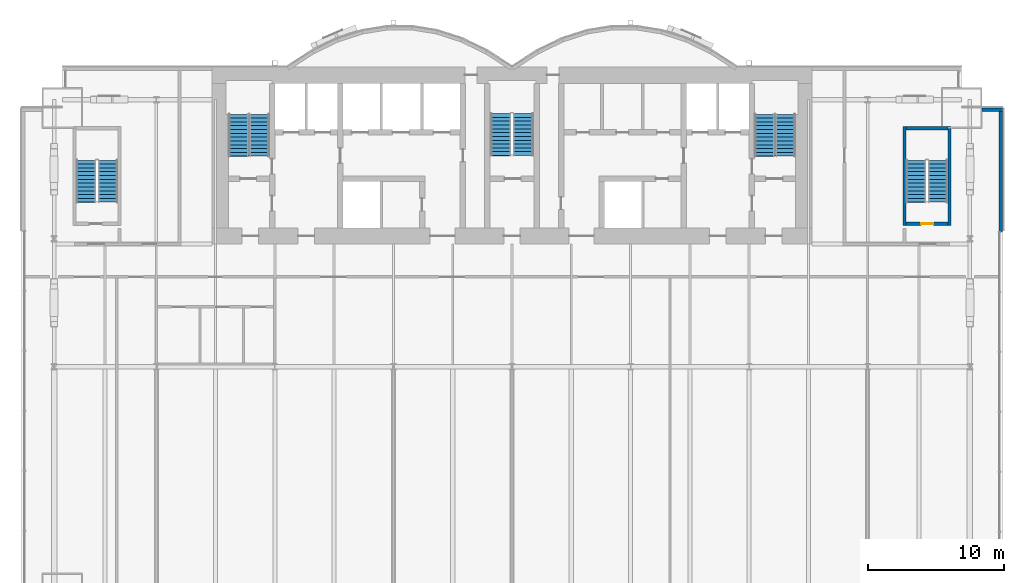
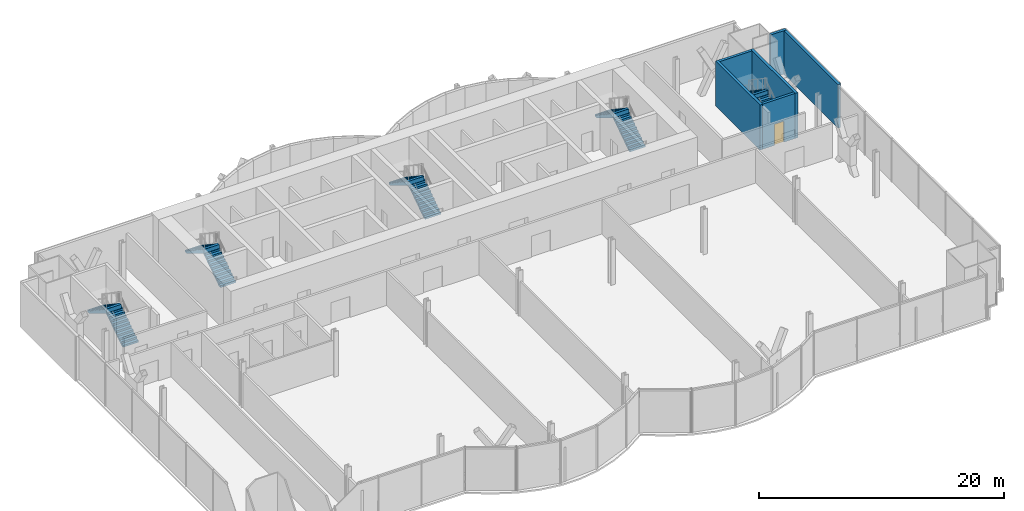
# One storey, part 18 of 22: 10 stair flights, 6 walls, 1 door, 1 opening, 5 elements without a shape of their own.
"""IFC4 building model written with IfcOpenShell, lengths in metres."""

import ifcopenshell
import ifcopenshell.guid

model = None  # the IFC model being written
_history = None  # IfcOwnerHistory: only IFC2X3 demands one
_inside = {}  # id of a spatial element -> (the spatial element, [elements in it])
_under = {}  # id of a project, library or spatial element -> (it, [spatial elements below it])
_declared = {}  # id of a project -> (the project, [libraries it declares])
_typed = {}  # id of a type object -> (the type object, [elements of that type])
_made_of = {}  # id of a material, layer set ... -> (it, [elements and type objects made of it])


def new_model(schema):
    """Start an empty IFC model of exactly this schema.

    Asked for "IFC4X3", IfcOpenShell would pick the latest addendum, in which some entities
    have other attributes; the version numbers below select the first issue.
    IFC2X3 requires an IfcOwnerHistory on every rooted entity: one is made here for all.
    """
    global model, _history
    if schema == "IFC4X3":
        model = ifcopenshell.file(schema_version=(4, 3, 0, 0))
    else:
        model = ifcopenshell.file(schema=schema)
    _inside.clear()
    _under.clear()
    _declared.clear()
    _typed.clear()
    _made_of.clear()
    _history = None
    if model.schema == "IFC2X3":
        org = make("IfcOrganization", Name="unknown")
        user = make(
            "IfcPersonAndOrganization",
            ThePerson=make("IfcPerson", FamilyName="unknown"),
            TheOrganization=org,
        )
        app = make(
            "IfcApplication",
            ApplicationDeveloper=org,
            Version="unknown",
            ApplicationFullName="unknown",
            ApplicationIdentifier="unknown",
        )
        _history = make(
            "IfcOwnerHistory",
            OwningUser=user,
            OwningApplication=app,
            ChangeAction="ADDED",
            CreationDate=0,
        )
    return model


def make(cls, **values):
    """One entity of the class cls with the attributes given. An attribute that is None is left unset."""
    return model.create_entity(
        cls, **{name: value for name, value in values.items() if value is not None}
    )


def rooted(cls, **values):
    """An entity with a GlobalId (a new one), such as an element, a storey or a relation."""
    return make(cls, GlobalId=ifcopenshell.guid.new(), OwnerHistory=_history, **values)


def si_unit(unit_type, name, prefix=None):
    """IfcSIUnit, for example si_unit("LENGTHUNIT", "METRE", prefix="MILLI")."""
    return make("IfcSIUnit", UnitType=unit_type, Prefix=prefix, Name=name)


def assignment(units):
    """IfcUnitAssignment: the units of a project."""
    return None if units is None else make("IfcUnitAssignment", Units=units)


def point(xyz):
    """IfcCartesianPoint."""
    return None if xyz is None else make("IfcCartesianPoint", Coordinates=xyz)


def direction(xyz):
    """IfcDirection."""
    return None if xyz is None else make("IfcDirection", DirectionRatios=xyz)


def frame(location, z_axis=None, x_axis=None):
    """IfcAxis2Placement3D, a coordinate frame: its origin and axes. An axis left out is left unset."""
    return make(
        "IfcAxis2Placement3D",
        Location=point(location),
        Axis=direction(z_axis),
        RefDirection=direction(x_axis),
    )


def frame_2d(location, x_axis=None):
    """IfcAxis2Placement2D, a coordinate frame in the plane: its origin and x axis."""
    return make(
        "IfcAxis2Placement2D", Location=point(location), RefDirection=direction(x_axis)
    )


def origin():
    """The frame at (0, 0, 0) with its axes left unset."""
    return frame((0.0, 0.0, 0.0))


def place(relative_to, where):
    """IfcLocalPlacement: puts the frame where relative to a parent placement (None: the world)."""
    return make(
        "IfcLocalPlacement", PlacementRelTo=relative_to, RelativePlacement=where
    )


def context(
    kind, dimensions, precision=None, world=None, true_north=None, identifier=None
):
    """IfcGeometricRepresentationContext, for example the 3D "Model" context."""
    return make(
        "IfcGeometricRepresentationContext",
        ContextIdentifier=identifier,
        ContextType=kind,
        CoordinateSpaceDimension=dimensions,
        Precision=precision,
        WorldCoordinateSystem=world,
        TrueNorth=true_north,
    )


def subcontext(parent, identifier, kind, view, scale=None):
    """IfcGeometricRepresentationSubContext, for example "Body" below "Model"."""
    return make(
        "IfcGeometricRepresentationSubContext",
        ContextIdentifier=identifier,
        ContextType=kind,
        ParentContext=parent,
        TargetScale=scale,
        TargetView=view,
    )


def project(units=None, contexts=None):
    """IfcProject with its units and contexts."""
    return rooted(
        "IfcProject",
        Name="project",
        RepresentationContexts=contexts,
        UnitsInContext=assignment(units),
    )


def spatial(cls, under=None, at=None, **own):
    """A site, building, storey or space (cls), placed at a placement, below another one or the project."""
    s = rooted(cls, ObjectPlacement=at, **own)
    if under is not None:
        _under.setdefault(under.id(), (under, []))[1].append(s)
    return s


def polyline(points):
    """IfcPolyline through the points."""
    return make("IfcPolyline", Points=[point(p) for p in points])


def profile(cls, at=None, kind="AREA", **sizes):
    """A parametric profile (cls). Its sizes go by their IFC names, for example OverallWidth=200.0."""
    return make(cls, ProfileType=kind, Position=at, **sizes)


def rectangle(**sizes):
    """IfcRectangleProfileDef."""
    return profile("IfcRectangleProfileDef", **sizes)


def outline(outer, holes=None, kind="AREA"):
    """IfcArbitraryClosedProfileDef: a profile drawn as a closed curve; with holes, ...WithVoids."""
    if holes is None:
        return make("IfcArbitraryClosedProfileDef", ProfileType=kind, OuterCurve=outer)
    return make(
        "IfcArbitraryProfileDefWithVoids",
        ProfileType=kind,
        OuterCurve=outer,
        InnerCurves=holes,
    )


def extrude(swept, where, along, depth):
    """IfcExtrudedAreaSolid: the profile swept, set in the frame where, extruded along a direction by depth."""
    return make(
        "IfcExtrudedAreaSolid",
        SweptArea=swept,
        Position=where,
        ExtrudedDirection=direction(along),
        Depth=depth,
    )


def shape(context_of_items, identifier, shape_type, items):
    """IfcShapeRepresentation: the items that make up one representation, for example the "Body"."""
    return make(
        "IfcShapeRepresentation",
        ContextOfItems=context_of_items,
        RepresentationIdentifier=identifier,
        RepresentationType=shape_type,
        Items=items,
    )


def material(Name=None, Category=None):
    """IfcMaterial."""
    return make("IfcMaterial", Name=Name, Category=Category)


def layer(
    of_material, thickness, ventilated=None, Name=None, Category=None, Priority=None
):
    """IfcMaterialLayer: one layer of a wall or slab, of a material (None: an air gap)."""
    return make(
        "IfcMaterialLayer",
        Material=of_material,
        LayerThickness=thickness,
        IsVentilated=ventilated,
        Name=Name,
        Category=Category,
        Priority=Priority,
    )


def layer_set(layers, Name=None):
    """IfcMaterialLayerSet."""
    return make("IfcMaterialLayerSet", MaterialLayers=layers, LayerSetName=Name)


def layer_usage(for_layer_set, set_direction, sense, offset, extent=None):
    """IfcMaterialLayerSetUsage: how a layer set lies in its element."""
    return make(
        "IfcMaterialLayerSetUsage",
        ForLayerSet=for_layer_set,
        LayerSetDirection=set_direction,
        DirectionSense=sense,
        OffsetFromReferenceLine=offset,
        ReferenceExtent=extent,
    )


def made_of(thing, what):
    """Note that an element or type object is made of a material, layer set ...; save() writes the relation."""
    if what is not None:
        _made_of.setdefault(what.id(), (what, []))[1].append(thing)
    return thing


def type_object(cls, material=None, **own):
    """A type object (cls), such as IfcWallType, which elements share."""
    return made_of(rooted(cls, **own), material)


def element(
    cls,
    number,
    at=None,
    inside=None,
    cuts=None,
    type_object=None,
    material=None,
    context=None,
    identifier="Body",
    shape_type=None,
    held_by="IfcProductDefinitionShape",
    body=None,
    shapes=None,
    **own,
):
    """One element of the class cls, such as IfcWall. Its Tag is "e" and its number.

    at: its placement. inside: the storey or other place that contains it. cuts: it is an
    opening in that element (IfcRelVoidsElement). A single representation is given by context,
    identifier, shape_type and body (its items); several are given by shapes. held_by: the class
    of the entity that holds the representations. save() writes the other relations.
    """
    e = rooted(cls, Tag="e%d" % number, ObjectPlacement=at, **own)
    if body is not None:
        shapes = [shape(context, identifier, shape_type, body)]
    if shapes is not None:
        e.Representation = make(held_by, Representations=shapes)
    if inside is not None:
        _inside.setdefault(inside.id(), (inside, []))[1].append(e)
    if cuts is not None:
        rooted(
            "IfcRelVoidsElement", RelatingBuildingElement=cuts, RelatedOpeningElement=e
        )
    if type_object is not None:
        _typed.setdefault(type_object.id(), (type_object, []))[1].append(e)
    return made_of(e, material)


def fill(opening, filler):
    """IfcRelFillsElement: the door or window that sits in an opening."""
    return rooted(
        "IfcRelFillsElement",
        RelatingOpeningElement=opening,
        RelatedBuildingElement=filler,
    )


def aggregate(whole, parts):
    """IfcRelAggregates: a whole, such as a stair, and the parts it consists of."""
    return rooted("IfcRelAggregates", RelatingObject=whole, RelatedObjects=parts)


def save(model, path):
    """Write the relations noted so far, then the file.

    IfcRelAggregates (storeys below a building ...), IfcRelContainedInSpatialStructure (elements
    in a storey), IfcRelDefinesByType, IfcRelAssociatesMaterial and IfcRelDeclares: one each for
    every whole, place, type object, material and project.
    """
    for whole, parts in _under.values():
        aggregate(whole, parts)
    for where, things in _inside.values():
        rooted(
            "IfcRelContainedInSpatialStructure",
            RelatedElements=things,
            RelatingStructure=where,
        )
    for kind, things in _typed.values():
        rooted("IfcRelDefinesByType", RelatedObjects=things, RelatingType=kind)
    for what, things in _made_of.values():
        rooted("IfcRelAssociatesMaterial", RelatedObjects=things, RelatingMaterial=what)
    for by, libraries in _declared.values():
        rooted("IfcRelDeclares", RelatingContext=by, RelatedDefinitions=libraries)
    model.write(path)


model = new_model("IFC4")

# Units and contexts
model_context = context("Model", 3, precision=1e-05, world=origin(), true_north=direction((0.0, 1.0)))
body_context = subcontext(model_context, "Body", "Model", "MODEL_VIEW")
ifc_project = project(units=[si_unit("LENGTHUNIT", "METRE"), si_unit("AREAUNIT", "SQUARE_METRE"), si_unit("VOLUMEUNIT", "CUBIC_METRE"), si_unit("PLANEANGLEUNIT", "RADIAN"), si_unit("MASSUNIT", "GRAM", prefix="KILO")], contexts=[model_context])

# Site, building, storey
site_placement = place(None, origin())
site = spatial("IfcSite", under=ifc_project, at=site_placement, CompositionType="ELEMENT")
building_placement = place(site_placement, origin())
building = spatial("IfcBuilding", under=site, at=building_placement, Name="Bicima Exchange Tower", CompositionType="ELEMENT")
storey_placement = place(building_placement, frame((0.0, 0.0, 39.5)))
storey = spatial("IfcBuildingStorey", under=building, at=storey_placement, Name="L07", CompositionType="ELEMENT", Elevation=39.5)

# Walls
ifc_material_1 = material(Name="Concrete C50/60", Category="concrete")
ifc_layer_1 = layer(ifc_material_1, 0.25)
ifc_layer_set_1 = layer_set([ifc_layer_1], Name="Concrete C50/60")
wall_type_1 = type_object("IfcWallType", Name="RC stair enclosure wall 250 C50/60", PredefinedType="SHEAR", material=ifc_layer_set_1)
for number, where, z_axis, x_axis, name in (
    (1, (28.800048828125, -11.625, 0.0), (0.0, 0.0, 1.0), (0.0, 1.0, 0.0), "East end exit stair wall W"),
    (2, (32.10009765625, -11.625, 0.0), (0.0, 0.0, 1.0), (0.0, 1.0, 0.0), "East end exit stair wall E"),
):
    element("IfcWall", number, at=place(storey_placement, frame(where, z_axis=z_axis, x_axis=x_axis)), inside=storey, type_object=wall_type_1, Name=name, PredefinedType="SHEAR", context=body_context, shape_type="SweptSolid", body=[
        extrude(rectangle(XDim=7.25, YDim=0.25, at=frame_2d((3.625, 0.0))), origin(), (0.0, 0.0, 1.0), 4.5),
    ])

# Wall, opening, door
wall_1_placement = place(storey_placement, frame((28.925048828125, -11.5, 0.0), z_axis=(0.0, 0.0, 1.0), x_axis=(1.0, 0.0, 0.0)))
wall_1 = element("IfcWall", 3, at=wall_1_placement, inside=storey, type_object=wall_type_1, Name="East end exit stair wall S", PredefinedType="SHEAR", context=body_context, shape_type="SweptSolid", body=[
    extrude(rectangle(XDim=3.050048828125, YDim=0.25, at=frame_2d((1.52490234375, 0.0))), origin(), (0.0, 0.0, 1.0), 4.5),
])
opening_placement = place(wall_1_placement, frame((1.10009765625, 0.0, 0.0)))
opening = element("IfcOpeningElement", 4, at=opening_placement, cuts=wall_1, Name="Opening L07-004", PredefinedType="OPENING", context=body_context, shape_type="SweptSolid", body=[
    extrude(rectangle(XDim=0.89990234375, YDim=2.10009765625, at=frame_2d((0.449951171875, 1.050048828125))), frame((0.0, 0.136962890625, 0.0), z_axis=(0.0, -1.0, 0.0), x_axis=(1.0, 0.0, 0.0)), (0.0, 0.0, 1.0), 0.27392578125),
])
ifc_material_2 = material(Name="Steel fire door leaf", Category="steel")
door_type = type_object("IfcDoorType", Name="Door 900 swing FD60S", OperationType="SINGLE_SWING_LEFT", PredefinedType="DOOR", material=ifc_material_2)
door_placement = place(opening_placement, origin())
door = element("IfcDoor", 5, at=door_placement, inside=storey, type_object=door_type, Name="Door", OperationType="SINGLE_SWING_LEFT", OverallHeight=2.10009765625, OverallWidth=0.89990234375, PredefinedType="DOOR", context=body_context, shape_type="SweptSolid", body=[
    extrude(rectangle(XDim=0.89990234375, YDim=2.10009765625, at=frame_2d((0.449951171875, 1.050048828125))), frame((0.0, 0.02490234375, 0.0), z_axis=(0.0, -1.0, 0.0), x_axis=(1.0, 0.0, 0.0)), (0.0, 0.0, 1.0), 0.050048828125),
])
fill(opening, door)

# Walls
wall_2_placement = place(storey_placement, frame((28.925048828125, -4.5, 0.0), z_axis=(0.0, 0.0, 1.0), x_axis=(1.0, 0.0, 0.0)))
element("IfcWall", 6, at=wall_2_placement, inside=storey, type_object=wall_type_1, Name="East end exit stair wall N", PredefinedType="SHEAR", context=body_context, shape_type="SweptSolid", body=[
    extrude(rectangle(XDim=3.050048828125, YDim=0.25, at=frame_2d((1.52490234375, 0.0))), origin(), (0.0, 0.0, 1.0), 4.5),
])
ifc_material_3 = material(Name="Concrete C40/50", Category="concrete")
ifc_layer_2 = layer(ifc_material_3, 0.25)
ifc_layer_set_2 = layer_set([ifc_layer_2], Name="Concrete C40/50")
ifc_layer_usage = layer_usage(ifc_layer_set_2, "AXIS2", "POSITIVE", -0.125)
wall_type_2 = type_object("IfcWallType", Name="Rear backup wall 250", PredefinedType="STANDARD", material=ifc_layer_set_2)
wall_3_placement = place(storey_placement, frame((35.875, -12.090087890625, 0.0), z_axis=(0.0, 0.0, 1.0), x_axis=(0.0, 1.0, 0.0)))
element("IfcWall", 7, at=wall_3_placement, inside=storey, type_object=wall_type_2, material=ifc_layer_usage, Name="Rear backup wall L07 50", PredefinedType="STANDARD", context=body_context, shape_type="SweptSolid", body=[
    extrude(rectangle(XDim=9.090087890625, YDim=0.25, at=frame_2d((4.544921875, 0.0))), origin(), (0.0, 0.0, 1.0), 4.35009765625),
])
wall_4_placement = place(storey_placement, frame((36.0, -3.125, 0.0), z_axis=(0.0, 0.0, 1.0), x_axis=(-1.0, 0.0, 0.0)))
element("IfcWall", 8, at=wall_4_placement, inside=storey, type_object=wall_type_2, material=ifc_layer_usage, Name="Rear backup wall L07 51", PredefinedType="STANDARD", context=body_context, shape_type="SweptSolid", body=[
    extrude(rectangle(XDim=1.5, YDim=0.25, at=frame_2d((0.75, 0.0))), origin(), (0.0, 0.0, 1.0), 4.35009765625),
])

# Stair, stair flights
stair_type_1 = type_object("IfcStairType", Name="Exit stair", PredefinedType="HALF_TURN_STAIR", material=ifc_material_1)
stair_1_placement = place(storey_placement, origin())
stair_1 = element("IfcStair", 9, at=stair_1_placement, inside=storey, type_object=stair_type_1, Name="L07 West exit stair", PredefinedType="HALF_TURN_STAIR")
stair_flight_type_1 = type_object("IfcStairFlightType", Name="Stair flight RC", PredefinedType="STRAIGHT", material=ifc_material_1)
stair_flight_1_placement = place(storey_placement, frame((-18.52490234375, -6.550048828125, 0.0), z_axis=(0.0, 0.0, 1.0), x_axis=(0.0, 1.0, 0.0)))
stair_flight_1 = element("IfcStairFlight", 10, at=stair_flight_1_placement, type_object=stair_flight_type_1, Name="ST-W flight 1", NumberOfRisers=12, NumberOfTreads=11, PredefinedType="STRAIGHT", RiserHeight=0.1875, TreadLength=0.28, context=body_context, shape_type="SweptSolid", body=[
    extrude(outline(polyline([(0.0, 0.0), (0.0, 0.1875), (0.280029296875, 0.1875), (0.280029296875, 0.375), (0.56005859375, 0.375), (0.56005859375, 0.5625), (0.840087890625, 0.5625), (0.840087890625, 0.75), (1.1201171875, 0.75), (1.1201171875, 0.9375), (1.39990234375, 0.9375), (1.39990234375, 1.125), (1.679931640625, 1.125), (1.679931640625, 1.3125), (1.9599609375, 1.3125), (1.9599609375, 1.5), (2.239990234375, 1.5), (2.239990234375, 1.6875), (2.52001953125, 1.6875), (2.52001953125, 1.875), (2.800048828125, 1.875), (2.800048828125, 2.0625), (3.080078125, 2.0625), (3.080078125, 2.25), (3.080078125, 1.882080078125), (0.26953125, 0.0), (0.0, 0.0)])), frame((0.0, 0.72509765625, 0.0), z_axis=(0.0, -1.0, 0.0), x_axis=(1.0, 0.0, 0.0)), (0.0, 0.0, 1.0), 1.449951171875),
])
stair_flight_2_placement = place(storey_placement, frame((-20.074951171875, -3.469970703125, 2.25), z_axis=(0.0, 0.0, 1.0), x_axis=(0.0, -1.0, 0.0)))
stair_flight_2 = element("IfcStairFlight", 11, at=stair_flight_2_placement, type_object=stair_flight_type_1, Name="ST-W flight 2", NumberOfRisers=12, NumberOfTreads=11, PredefinedType="STRAIGHT", RiserHeight=0.1875, TreadLength=0.28, context=body_context, shape_type="SweptSolid", body=[
    extrude(outline(polyline([(0.0, 0.0), (0.0, 0.1875), (0.280029296875, 0.1875), (0.280029296875, 0.375), (0.56005859375, 0.375), (0.56005859375, 0.5625), (0.840087890625, 0.5625), (0.840087890625, 0.75), (1.1201171875, 0.75), (1.1201171875, 0.9375), (1.39990234375, 0.9375), (1.39990234375, 1.125), (1.679931640625, 1.125), (1.679931640625, 1.3125), (1.9599609375, 1.3125), (1.9599609375, 1.5), (2.239990234375, 1.5), (2.239990234375, 1.6875), (2.52001953125, 1.6875), (2.52001953125, 1.875), (2.800048828125, 1.875), (2.800048828125, 2.0625), (3.080078125, 2.0625), (3.080078125, 2.10400390625), (3.094970703125, 2.10400390625), (3.094970703125, 1.70458984375), (0.26953125, 0.0), (0.0, 0.0)])), frame((0.0, 0.72509765625, 0.0), z_axis=(0.0, -1.0, 0.0), x_axis=(1.0, 0.0, 0.0)), (0.0, 0.0, 1.0), 1.449951171875),
])
aggregate(stair_1, [stair_flight_1, stair_flight_2])

stair_2_placement = place(storey_placement, origin())
stair_2 = element("IfcStair", 12, at=stair_2_placement, inside=storey, type_object=stair_type_1, Name="L07 East exit stair", PredefinedType="HALF_TURN_STAIR")
stair_flight_3_placement = place(storey_placement, frame((20.074951171875, -6.550048828125, 0.0), z_axis=(0.0, 0.0, 1.0), x_axis=(0.0, 1.0, 0.0)))
stair_flight_3 = element("IfcStairFlight", 13, at=stair_flight_3_placement, type_object=stair_flight_type_1, Name="ST-E flight 1", NumberOfRisers=12, NumberOfTreads=11, PredefinedType="STRAIGHT", RiserHeight=0.1875, TreadLength=0.28, context=body_context, shape_type="SweptSolid", body=[
    extrude(outline(polyline([(0.0, 0.0), (0.0, 0.1875), (0.280029296875, 0.1875), (0.280029296875, 0.375), (0.56005859375, 0.375), (0.56005859375, 0.5625), (0.840087890625, 0.5625), (0.840087890625, 0.75), (1.1201171875, 0.75), (1.1201171875, 0.9375), (1.39990234375, 0.9375), (1.39990234375, 1.125), (1.679931640625, 1.125), (1.679931640625, 1.3125), (1.9599609375, 1.3125), (1.9599609375, 1.5), (2.239990234375, 1.5), (2.239990234375, 1.6875), (2.52001953125, 1.6875), (2.52001953125, 1.875), (2.800048828125, 1.875), (2.800048828125, 2.0625), (3.080078125, 2.0625), (3.080078125, 2.25), (3.080078125, 1.882080078125), (0.26953125, 0.0), (0.0, 0.0)])), frame((0.0, 0.72509765625, 0.0), z_axis=(0.0, -1.0, 0.0), x_axis=(1.0, 0.0, 0.0)), (0.0, 0.0, 1.0), 1.449951171875),
])
stair_flight_4_placement = place(storey_placement, frame((18.52490234375, -3.469970703125, 2.25), z_axis=(0.0, 0.0, 1.0), x_axis=(0.0, -1.0, 0.0)))
stair_flight_4 = element("IfcStairFlight", 14, at=stair_flight_4_placement, type_object=stair_flight_type_1, Name="ST-E flight 2", NumberOfRisers=12, NumberOfTreads=11, PredefinedType="STRAIGHT", RiserHeight=0.1875, TreadLength=0.28, context=body_context, shape_type="SweptSolid", body=[
    extrude(outline(polyline([(0.0, 0.0), (0.0, 0.1875), (0.280029296875, 0.1875), (0.280029296875, 0.375), (0.56005859375, 0.375), (0.56005859375, 0.5625), (0.840087890625, 0.5625), (0.840087890625, 0.75), (1.1201171875, 0.75), (1.1201171875, 0.9375), (1.39990234375, 0.9375), (1.39990234375, 1.125), (1.679931640625, 1.125), (1.679931640625, 1.3125), (1.9599609375, 1.3125), (1.9599609375, 1.5), (2.239990234375, 1.5), (2.239990234375, 1.6875), (2.52001953125, 1.6875), (2.52001953125, 1.875), (2.800048828125, 1.875), (2.800048828125, 2.0625), (3.080078125, 2.0625), (3.080078125, 2.10400390625), (3.094970703125, 2.10400390625), (3.094970703125, 1.70458984375), (0.26953125, 0.0), (0.0, 0.0)])), frame((0.0, 0.72509765625, 0.0), z_axis=(0.0, -1.0, 0.0), x_axis=(1.0, 0.0, 0.0)), (0.0, 0.0, 1.0), 1.449951171875),
])
aggregate(stair_2, [stair_flight_3, stair_flight_4])

stair_3_placement = place(storey_placement, origin())
stair_3 = element("IfcStair", 15, at=stair_3_placement, inside=storey, type_object=stair_type_1, Name="L07 West end exit stair", PredefinedType="HALF_TURN_STAIR")
stair_flight_5_placement = place(storey_placement, frame((-29.64990234375, -9.925048828125, 0.0), z_axis=(0.0, 0.0, 1.0), x_axis=(0.0, 1.0, 0.0)))
stair_flight_5 = element("IfcStairFlight", 16, at=stair_flight_5_placement, type_object=stair_flight_type_1, Name="ST-WW flight 1", NumberOfRisers=12, NumberOfTreads=11, PredefinedType="STRAIGHT", RiserHeight=0.1875, TreadLength=0.28, context=body_context, shape_type="SweptSolid", body=[
    extrude(outline(polyline([(0.0, 0.0), (0.0, 0.1875), (0.280029296875, 0.1875), (0.280029296875, 0.375), (0.56005859375, 0.375), (0.56005859375, 0.5625), (0.840087890625, 0.5625), (0.840087890625, 0.75), (1.1201171875, 0.75), (1.1201171875, 0.9375), (1.39990234375, 0.9375), (1.39990234375, 1.125), (1.679931640625, 1.125), (1.679931640625, 1.3125), (1.9599609375, 1.3125), (1.9599609375, 1.5), (2.239990234375, 1.5), (2.239990234375, 1.6875), (2.52001953125, 1.6875), (2.52001953125, 1.875), (2.800048828125, 1.875), (2.800048828125, 2.0625), (3.080078125, 2.0625), (3.080078125, 2.25), (3.080078125, 1.882080078125), (0.26953125, 0.0), (0.0, 0.0)])), frame((0.0, 0.72509765625, 0.0), z_axis=(0.0, -1.0, 0.0), x_axis=(1.0, 0.0, 0.0)), (0.0, 0.0, 1.0), 1.449951171875),
])
stair_flight_6_placement = place(storey_placement, frame((-31.25, -6.844970703125, 2.25), z_axis=(0.0, 0.0, 1.0), x_axis=(0.0, -1.0, 0.0)))
stair_flight_6 = element("IfcStairFlight", 17, at=stair_flight_6_placement, type_object=stair_flight_type_1, Name="ST-WW flight 2", NumberOfRisers=12, NumberOfTreads=11, PredefinedType="STRAIGHT", RiserHeight=0.1875, TreadLength=0.28, context=body_context, shape_type="SweptSolid", body=[
    extrude(outline(polyline([(0.0, 0.0), (0.0, 0.1875), (0.280029296875, 0.1875), (0.280029296875, 0.375), (0.56005859375, 0.375), (0.56005859375, 0.5625), (0.840087890625, 0.5625), (0.840087890625, 0.75), (1.1201171875, 0.75), (1.1201171875, 0.9375), (1.39990234375, 0.9375), (1.39990234375, 1.125), (1.679931640625, 1.125), (1.679931640625, 1.3125), (1.9599609375, 1.3125), (1.9599609375, 1.5), (2.239990234375, 1.5), (2.239990234375, 1.6875), (2.52001953125, 1.6875), (2.52001953125, 1.875), (2.800048828125, 1.875), (2.800048828125, 2.0625), (3.080078125, 2.0625), (3.080078125, 2.10400390625), (3.094970703125, 2.10400390625), (3.094970703125, 1.70458984375), (0.26953125, 0.0), (0.0, 0.0)])), frame((0.0, 0.72509765625, 0.0), z_axis=(0.0, -1.0, 0.0), x_axis=(1.0, 0.0, 0.0)), (0.0, 0.0, 1.0), 1.449951171875),
])
aggregate(stair_3, [stair_flight_5, stair_flight_6])

stair_4_placement = place(storey_placement, origin())
stair_4 = element("IfcStair", 18, at=stair_4_placement, inside=storey, type_object=stair_type_1, Name="L07 East end exit stair", PredefinedType="HALF_TURN_STAIR")
stair_flight_7_placement = place(storey_placement, frame((31.25, -9.925048828125, 0.0), z_axis=(0.0, 0.0, 1.0), x_axis=(0.0, 1.0, 0.0)))
stair_flight_7 = element("IfcStairFlight", 19, at=stair_flight_7_placement, type_object=stair_flight_type_1, Name="ST-EE flight 1", NumberOfRisers=12, NumberOfTreads=11, PredefinedType="STRAIGHT", RiserHeight=0.1875, TreadLength=0.28, context=body_context, shape_type="SweptSolid", body=[
    extrude(outline(polyline([(0.0, 0.0), (0.0, 0.1875), (0.280029296875, 0.1875), (0.280029296875, 0.375), (0.56005859375, 0.375), (0.56005859375, 0.5625), (0.840087890625, 0.5625), (0.840087890625, 0.75), (1.1201171875, 0.75), (1.1201171875, 0.9375), (1.39990234375, 0.9375), (1.39990234375, 1.125), (1.679931640625, 1.125), (1.679931640625, 1.3125), (1.9599609375, 1.3125), (1.9599609375, 1.5), (2.239990234375, 1.5), (2.239990234375, 1.6875), (2.52001953125, 1.6875), (2.52001953125, 1.875), (2.800048828125, 1.875), (2.800048828125, 2.0625), (3.080078125, 2.0625), (3.080078125, 2.25), (3.080078125, 1.882080078125), (0.26953125, 0.0), (0.0, 0.0)])), frame((0.0, 0.72509765625, 0.0), z_axis=(0.0, -1.0, 0.0), x_axis=(1.0, 0.0, 0.0)), (0.0, 0.0, 1.0), 1.449951171875),
])
stair_flight_8_placement = place(storey_placement, frame((29.64990234375, -6.844970703125, 2.25), z_axis=(0.0, 0.0, 1.0), x_axis=(0.0, -1.0, 0.0)))
stair_flight_8 = element("IfcStairFlight", 20, at=stair_flight_8_placement, type_object=stair_flight_type_1, Name="ST-EE flight 2", NumberOfRisers=12, NumberOfTreads=11, PredefinedType="STRAIGHT", RiserHeight=0.1875, TreadLength=0.28, context=body_context, shape_type="SweptSolid", body=[
    extrude(outline(polyline([(0.0, 0.0), (0.0, 0.1875), (0.280029296875, 0.1875), (0.280029296875, 0.375), (0.56005859375, 0.375), (0.56005859375, 0.5625), (0.840087890625, 0.5625), (0.840087890625, 0.75), (1.1201171875, 0.75), (1.1201171875, 0.9375), (1.39990234375, 0.9375), (1.39990234375, 1.125), (1.679931640625, 1.125), (1.679931640625, 1.3125), (1.9599609375, 1.3125), (1.9599609375, 1.5), (2.239990234375, 1.5), (2.239990234375, 1.6875), (2.52001953125, 1.6875), (2.52001953125, 1.875), (2.800048828125, 1.875), (2.800048828125, 2.0625), (3.080078125, 2.0625), (3.080078125, 2.10400390625), (3.094970703125, 2.10400390625), (3.094970703125, 1.70458984375), (0.26953125, 0.0), (0.0, 0.0)])), frame((0.0, 0.72509765625, 0.0), z_axis=(0.0, -1.0, 0.0), x_axis=(1.0, 0.0, 0.0)), (0.0, 0.0, 1.0), 1.449951171875),
])
aggregate(stair_4, [stair_flight_7, stair_flight_8])

stair_type_2 = type_object("IfcStairType", Name="Exit stair 1500", PredefinedType="HALF_TURN_STAIR", material=ifc_material_1)
stair_5_placement = place(storey_placement, origin())
stair_5 = element("IfcStair", 21, at=stair_5_placement, inside=storey, type_object=stair_type_2, Name="L07 Central exit stair", PredefinedType="HALF_TURN_STAIR")
stair_flight_type_2 = type_object("IfcStairFlightType", Name="Stair flight RC 1500", PredefinedType="STRAIGHT", material=ifc_material_1)
stair_flight_9_placement = place(storey_placement, frame((0.824951171875, -6.5, 0.0), z_axis=(0.0, 0.0, 1.0), x_axis=(0.0, 1.0, 0.0)))
stair_flight_9 = element("IfcStairFlight", 22, at=stair_flight_9_placement, type_object=stair_flight_type_2, Name="ST-C flight 1", NumberOfRisers=12, NumberOfTreads=11, PredefinedType="STRAIGHT", RiserHeight=0.1875, TreadLength=0.28, context=body_context, shape_type="SweptSolid", body=[
    extrude(outline(polyline([(0.0, 0.0), (0.0, 0.1875), (0.280029296875, 0.1875), (0.280029296875, 0.375), (0.56005859375, 0.375), (0.56005859375, 0.5625), (0.840087890625, 0.5625), (0.840087890625, 0.75), (1.1201171875, 0.75), (1.1201171875, 0.9375), (1.39990234375, 0.9375), (1.39990234375, 1.125), (1.679931640625, 1.125), (1.679931640625, 1.3125), (1.9599609375, 1.3125), (1.9599609375, 1.5), (2.239990234375, 1.5), (2.239990234375, 1.6875), (2.52001953125, 1.6875), (2.52001953125, 1.875), (2.800048828125, 1.875), (2.800048828125, 2.0625), (3.080078125, 2.0625), (3.080078125, 2.25), (3.080078125, 1.882080078125), (0.26953125, 0.0), (0.0, 0.0)])), frame((0.0, 0.75, 0.0), z_axis=(0.0, -1.0, 0.0), x_axis=(1.0, 0.0, 0.0)), (0.0, 0.0, 1.0), 1.5),
])
stair_flight_10_placement = place(storey_placement, frame((-0.824951171875, -3.419921875, 2.25), z_axis=(0.0, 0.0, 1.0), x_axis=(0.0, -1.0, 0.0)))
stair_flight_10 = element("IfcStairFlight", 23, at=stair_flight_10_placement, type_object=stair_flight_type_2, Name="ST-C flight 2", NumberOfRisers=12, NumberOfTreads=11, PredefinedType="STRAIGHT", RiserHeight=0.1875, TreadLength=0.28, context=body_context, shape_type="SweptSolid", body=[
    extrude(outline(polyline([(0.0, 0.0), (0.0, 0.1875), (0.280029296875, 0.1875), (0.280029296875, 0.375), (0.56005859375, 0.375), (0.56005859375, 0.5625), (0.840087890625, 0.5625), (0.840087890625, 0.75), (1.1201171875, 0.75), (1.1201171875, 0.9375), (1.39990234375, 0.9375), (1.39990234375, 1.125), (1.679931640625, 1.125), (1.679931640625, 1.3125), (1.9599609375, 1.3125), (1.9599609375, 1.5), (2.239990234375, 1.5), (2.239990234375, 1.6875), (2.52001953125, 1.6875), (2.52001953125, 1.875), (2.800048828125, 1.875), (2.800048828125, 2.0625), (3.080078125, 2.0625), (3.080078125, 2.10400390625), (3.094970703125, 2.10400390625), (3.094970703125, 1.70458984375), (0.26953125, 0.0), (0.0, 0.0)])), frame((0.0, 0.75, 0.0), z_axis=(0.0, -1.0, 0.0), x_axis=(1.0, 0.0, 0.0)), (0.0, 0.0, 1.0), 1.5),
])
aggregate(stair_5, [stair_flight_9, stair_flight_10])

save(model, "model.ifc")
